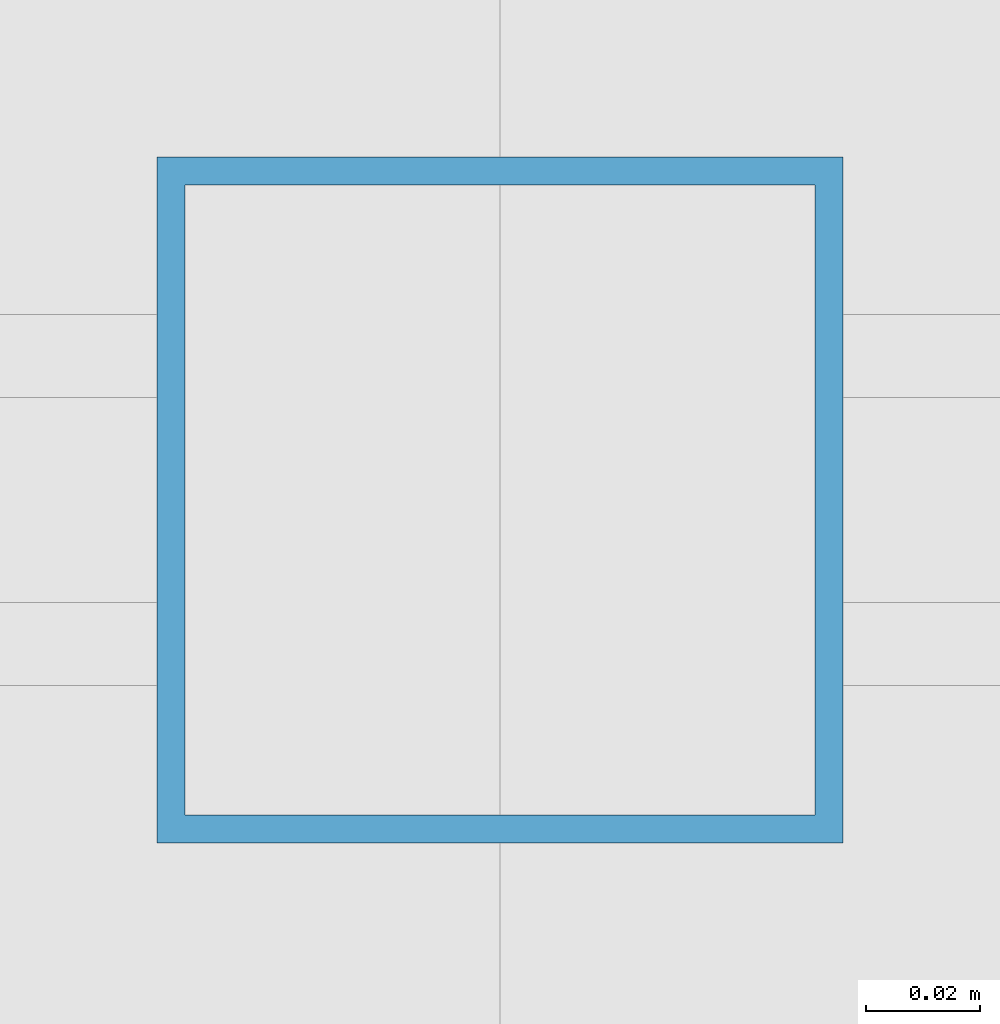
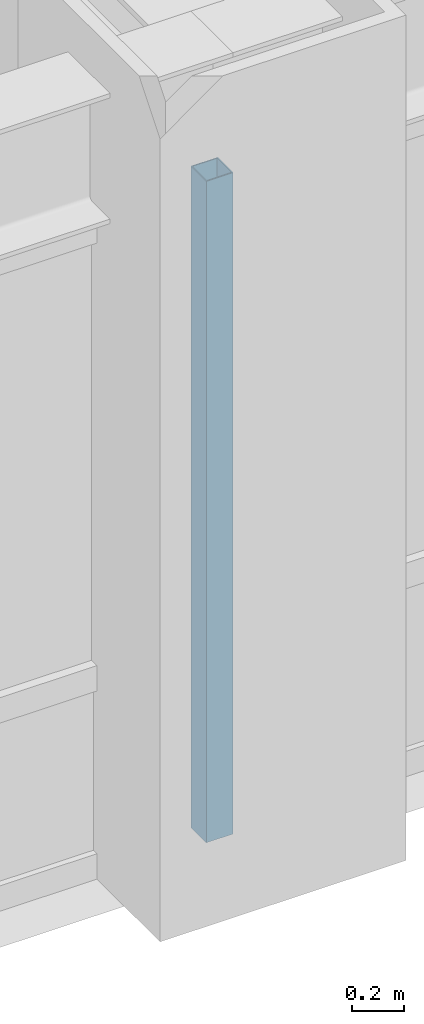
# One storey, part 4 of 25: 1 member, 1 element without a shape of its own.
"""IFC4 building model written with IfcOpenShell, lengths in metres."""

from ifc_helpers import new_model, si_unit, direction, frame, origin, origin_2d, place, context, subcontext, project, spatial, hollow_rectangle, extrude, source, transform, mapped, material, material_profile, profile_set, type_object, element, aggregate, save


model = new_model("IFC4")

# Units and contexts
model_context = context("Model", 3, precision=1e-05, world=origin(), true_north=direction((0.0, 1.0)))
body_context = subcontext(model_context, "Body", "Model", "MODEL_VIEW")
ifc_project = project(units=[si_unit("LENGTHUNIT", "METRE"), si_unit("AREAUNIT", "SQUARE_METRE"), si_unit("VOLUMEUNIT", "CUBIC_METRE"), si_unit("PLANEANGLEUNIT", "RADIAN"), si_unit("MASSUNIT", "GRAM", prefix="KILO")], contexts=[model_context])

# Site, building, storey
site_placement = place(None, origin())
site = spatial("IfcSite", under=ifc_project, at=site_placement, CompositionType="ELEMENT")
building_placement = place(site_placement, origin())
building = spatial("IfcBuilding", under=site, at=building_placement, Name="Khorayat Bourse Tower", CompositionType="ELEMENT")
storey_placement = place(building_placement, frame((0.0, 0.0, 199.10009765625)))
storey = spatial("IfcBuildingStorey", under=building, at=storey_placement, Name="L46", CompositionType="ELEMENT", Elevation=199.10009765625)

# Curtain wall, member
ifc_material = material(Name="Aluminium EN AW-6063 T6", Category="aluminium")
curtain_wall_type = type_object("IfcCurtainWallType", Name="CW-SYS-03", PredefinedType="NOTDEFINED", material=ifc_material)
curtain_wall_placement = place(storey_placement, origin())
curtain_wall = element("IfcCurtainWall", 1, at=curtain_wall_placement, inside=storey, type_object=curtain_wall_type, Name="L46 Curtain Wall CW-L46-S1", PredefinedType="NOTDEFINED")
ifc_material_profile = material_profile(ifc_material, hollow_rectangle(XDim=0.1201171875, YDim=0.1201171875, WallThickness=0.0048828125, at=origin_2d()), Name="ALU 120x120x5")
ifc_profile_set = profile_set([ifc_material_profile], Name="Aluminium EN AW-6063 T6")
member_type = type_object("IfcMemberType", Name="CWM-VERT-120", PredefinedType="MULLION", material=ifc_profile_set)
shared_shape = source(origin(), body_context, "Body", "SweptSolid", [
    extrude(hollow_rectangle(XDim=0.1201171875, YDim=0.1201171875, WallThickness=0.0048828125, at=origin_2d()), origin(), (0.0, 0.0, 1.0), 3.1298828125),
])
member_placement = place(storey_placement, frame((0.0, -30.0, 0.0), z_axis=(0.0, 0.0, 1.0), x_axis=(0.0, 1.0, 0.0)))
member = element("IfcMember", 2, at=member_placement, type_object=member_type, Name="CW-L46-S1 Vertical Mullion 2", PredefinedType="MULLION", context=body_context, shape_type="MappedRepresentation", body=[
    mapped(shared_shape, transform((0.0, 0.0, 0.0), scale=1.0)),
])
aggregate(curtain_wall, [member])

save(model, "model.ifc")
